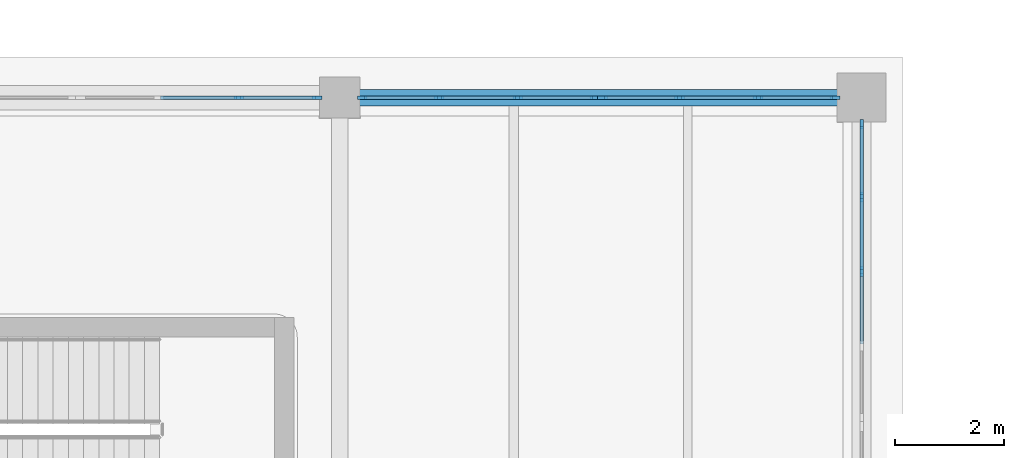
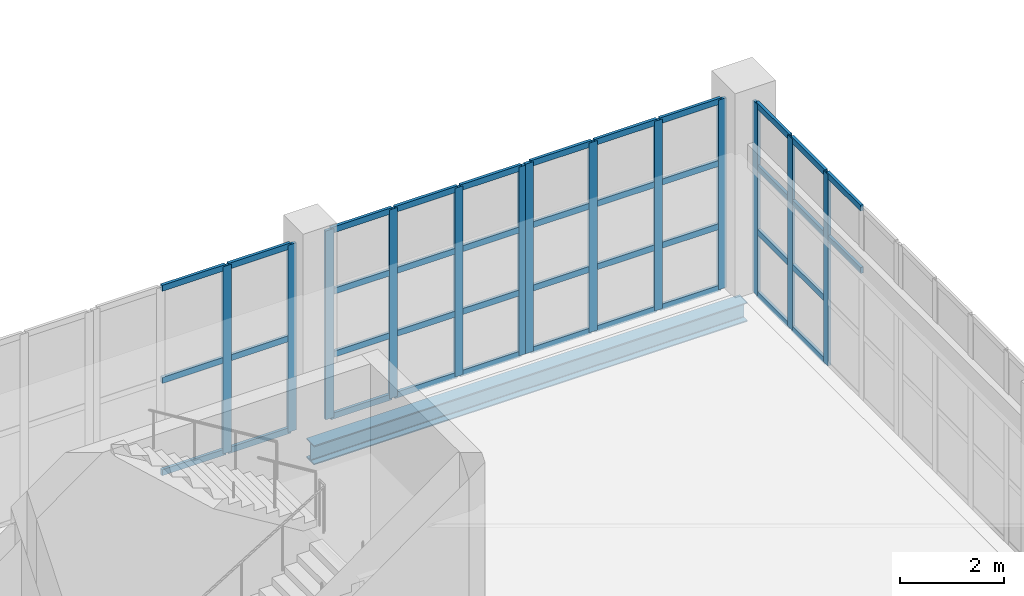
# One storey, part 37 of 121: 53 members, 1 beam, 4 elements without a shape of their own.
"""IFC4 building model written with IfcOpenShell, lengths in metres."""

from ifc_helpers import new_model, si_unit, direction, frame, origin, origin_2d, place, context, subcontext, project, spatial, rectangle, i_section, extrude, material, layer, layer_set, material_profile, profile_set, type_object, element, aggregate, save


model = new_model("IFC4")

# Units and contexts
model_context = context("Model", 3, precision=1e-05, world=origin(), true_north=direction((0.0, 1.0)))
body_context = subcontext(model_context, "Body", "Model", "MODEL_VIEW")
ifc_project = project(units=[si_unit("LENGTHUNIT", "METRE"), si_unit("AREAUNIT", "SQUARE_METRE"), si_unit("VOLUMEUNIT", "CUBIC_METRE"), si_unit("PLANEANGLEUNIT", "RADIAN"), si_unit("MASSUNIT", "GRAM", prefix="KILO")], contexts=[model_context])

# Site, building, storey
site_placement = place(None, origin())
site = spatial("IfcSite", under=ifc_project, at=site_placement, CompositionType="ELEMENT")
building_placement = place(site_placement, origin())
building = spatial("IfcBuilding", under=site, at=building_placement, Name="Zereglee Splitstone Museum", CompositionType="ELEMENT")
storey_placement = place(building_placement, origin())
storey = spatial("IfcBuildingStorey", under=building, at=storey_placement, Name="L00", CompositionType="ELEMENT", Elevation=0.0)

# Curtain wall, members
ifc_material_1 = material(Name="Triple-glazed low-E argon glass and bronze-anodised aluminium", Category="aluminium")
ifc_layer_1 = layer(ifc_material_1, 0.179931640625)
ifc_layer_set_1 = layer_set([ifc_layer_1], Name="Triple-glazed low-E argon glass and bronze-anodised aluminium")
curtain_wall_type_1 = type_object("IfcCurtainWallType", Name="CW-0548-448", PredefinedType="USERDEFINED", material=ifc_layer_set_1)
curtain_wall_1_placement = place(storey_placement, origin())
curtain_wall_1 = element("IfcCurtainWall", 1, at=curtain_wall_1_placement, inside=storey, type_object=curtain_wall_type_1, Name="Glazed Curtain Wall CW-0548-448 (L00)", ObjectType="GLAZED CURTAIN WALL", PredefinedType="USERDEFINED")
ifc_material_2 = material(Name="Thermally broken bronze-anodised aluminium", Category="aluminium")
ifc_material_profile_1 = material_profile(ifc_material_2, rectangle(XDim=0.06494140625, YDim=0.179931640625, at=origin_2d()), Name="CW MULL 65x180")
ifc_profile_set_1 = profile_set([ifc_material_profile_1], Name="Thermally broken bronze-anodised aluminium")
member_type_1 = type_object("IfcMemberType", Name="CWM-01", PredefinedType="MULLION", material=ifc_profile_set_1)
member_1_placement = place(storey_placement, frame((145.199951171875, 47.20361328125, 0.0), z_axis=(0.0, 0.0, 1.0), x_axis=(-1.0, 0.0, 0.0)))
member_1 = element("IfcMember", 2, at=member_1_placement, type_object=member_type_1, Name="CW-0548-448 mullion 3", PredefinedType="MULLION", context=body_context, shape_type="SweptSolid", body=[
    extrude(rectangle(XDim=0.06494140625, YDim=0.179931640625, at=origin_2d()), origin(), (0.0, 0.0, 1.0), 4.47998046875),
])
member_2_placement = place(storey_placement, frame((145.199951171875, 48.57275390625, 0.0), z_axis=(0.0, 0.0, 1.0), x_axis=(-1.0, 0.0, 0.0)))
member_2 = element("IfcMember", 3, at=member_2_placement, type_object=member_type_1, Name="CW-0548-448 mullion 4", PredefinedType="MULLION", context=body_context, shape_type="SweptSolid", body=[
    extrude(rectangle(XDim=0.06494140625, YDim=0.179931640625, at=origin_2d()), origin(), (0.0, 0.0, 1.0), 4.47998046875),
])
member_3_placement = place(storey_placement, frame((145.199951171875, 49.909423828125, 0.0), z_axis=(0.0, 0.0, 1.0), x_axis=(-1.0, 0.0, 0.0)))
member_3 = element("IfcMember", 4, at=member_3_placement, type_object=member_type_1, Name="CW-0548-448 mullion 5", PredefinedType="MULLION", context=body_context, shape_type="SweptSolid", body=[
    extrude(rectangle(XDim=0.06494140625, YDim=0.179931640625, at=origin_2d()), origin(), (0.0, 0.0, 1.0), 4.47998046875),
])

ifc_layer_2 = layer(ifc_material_1, 0.179931640625)
ifc_layer_set_2 = layer_set([ifc_layer_2], Name="Triple-glazed low-E argon glass and bronze-anodised aluminium")
curtain_wall_type_2 = type_object("IfcCurtainWallType", Name="CW-0434-444", PredefinedType="USERDEFINED", material=ifc_layer_set_2)
curtain_wall_2_placement = place(storey_placement, origin())
curtain_wall_2 = element("IfcCurtainWall", 5, at=curtain_wall_2_placement, inside=storey, type_object=curtain_wall_type_2, Name="Glazed Curtain Wall CW-0434-444 (L00)", ObjectType="GLAZED CURTAIN WALL", PredefinedType="USERDEFINED")
member_4_placement = place(storey_placement, frame((144.70947265625, 50.39990234375, 0.0), z_axis=(0.0, 0.0, 1.0), x_axis=(0.0, -1.0, 0.0)))
member_4 = element("IfcMember", 6, at=member_4_placement, type_object=member_type_1, Name="CW-0434-444 mullion 1", PredefinedType="MULLION", context=body_context, shape_type="SweptSolid", body=[
    extrude(rectangle(XDim=0.06494140625, YDim=0.179931640625, at=origin_2d()), origin(), (0.0, 0.0, 1.0), 4.43994140625),
])
member_5_placement = place(storey_placement, frame((143.29541015625, 50.39990234375, 0.0), z_axis=(0.0, 0.0, 1.0), x_axis=(0.0, -1.0, 0.0)))
member_5 = element("IfcMember", 7, at=member_5_placement, type_object=member_type_1, Name="CW-0434-444 mullion 2", PredefinedType="MULLION", context=body_context, shape_type="SweptSolid", body=[
    extrude(rectangle(XDim=0.06494140625, YDim=0.179931640625, at=origin_2d()), origin(), (0.0, 0.0, 1.0), 4.43994140625),
])
member_6_placement = place(storey_placement, frame((141.84912109375, 50.39990234375, 0.0), z_axis=(0.0, 0.0, 1.0), x_axis=(0.0, -1.0, 0.0)))
member_6 = element("IfcMember", 8, at=member_6_placement, type_object=member_type_1, Name="CW-0434-444 mullion 3", PredefinedType="MULLION", context=body_context, shape_type="SweptSolid", body=[
    extrude(rectangle(XDim=0.06494140625, YDim=0.179931640625, at=origin_2d()), origin(), (0.0, 0.0, 1.0), 4.43994140625),
])
member_7_placement = place(storey_placement, frame((140.43505859375, 50.39990234375, 0.0), z_axis=(0.0, 0.0, 1.0), x_axis=(0.0, -1.0, 0.0)))
member_7 = element("IfcMember", 9, at=member_7_placement, type_object=member_type_1, Name="CW-0434-444 mullion 4", PredefinedType="MULLION", context=body_context, shape_type="SweptSolid", body=[
    extrude(rectangle(XDim=0.06494140625, YDim=0.179931640625, at=origin_2d()), origin(), (0.0, 0.0, 1.0), 4.43994140625),
])

ifc_layer_3 = layer(ifc_material_1, 0.179931640625)
ifc_layer_set_3 = layer_set([ifc_layer_3], Name="Triple-glazed low-E argon glass and bronze-anodised aluminium")
curtain_wall_type_3 = type_object("IfcCurtainWallType", Name="CW-0434-442", PredefinedType="USERDEFINED", material=ifc_layer_set_3)
curtain_wall_3_placement = place(storey_placement, origin())
curtain_wall_3 = element("IfcCurtainWall", 10, at=curtain_wall_3_placement, inside=storey, type_object=curtain_wall_type_3, Name="Glazed Curtain Wall CW-0434-442 (L00)", ObjectType="GLAZED CURTAIN WALL", PredefinedType="USERDEFINED")
member_8_placement = place(storey_placement, frame((140.2900390625, 50.39990234375, 0.0), z_axis=(0.0, 0.0, 1.0), x_axis=(0.0, -1.0, 0.0)))
member_8 = element("IfcMember", 11, at=member_8_placement, type_object=member_type_1, Name="CW-0434-442 mullion 1", PredefinedType="MULLION", context=body_context, shape_type="SweptSolid", body=[
    extrude(rectangle(XDim=0.06494140625, YDim=0.179931640625, at=origin_2d()), origin(), (0.0, 0.0, 1.0), 4.419921875),
])
member_9_placement = place(storey_placement, frame((138.8759765625, 50.39990234375, 0.0), z_axis=(0.0, 0.0, 1.0), x_axis=(0.0, -1.0, 0.0)))
member_9 = element("IfcMember", 12, at=member_9_placement, type_object=member_type_1, Name="CW-0434-442 mullion 2", PredefinedType="MULLION", context=body_context, shape_type="SweptSolid", body=[
    extrude(rectangle(XDim=0.06494140625, YDim=0.179931640625, at=origin_2d()), origin(), (0.0, 0.0, 1.0), 4.419921875),
])
member_10_placement = place(storey_placement, frame((137.429443359375, 50.39990234375, 0.0), z_axis=(0.0, 0.0, 1.0), x_axis=(0.0, -1.0, 0.0)))
member_10 = element("IfcMember", 13, at=member_10_placement, type_object=member_type_1, Name="CW-0434-442 mullion 3", PredefinedType="MULLION", context=body_context, shape_type="SweptSolid", body=[
    extrude(rectangle(XDim=0.06494140625, YDim=0.179931640625, at=origin_2d()), origin(), (0.0, 0.0, 1.0), 4.419921875),
])
member_11_placement = place(storey_placement, frame((136.015380859375, 50.39990234375, 0.0), z_axis=(0.0, 0.0, 1.0), x_axis=(0.0, -1.0, 0.0)))
member_11 = element("IfcMember", 14, at=member_11_placement, type_object=member_type_1, Name="CW-0434-442 mullion 4", PredefinedType="MULLION", context=body_context, shape_type="SweptSolid", body=[
    extrude(rectangle(XDim=0.06494140625, YDim=0.179931640625, at=origin_2d()), origin(), (0.0, 0.0, 1.0), 4.419921875),
])

ifc_layer_4 = layer(ifc_material_1, 0.179931640625)
ifc_layer_set_4 = layer_set([ifc_layer_4], Name="Triple-glazed low-E argon glass and bronze-anodised aluminium")
curtain_wall_type_4 = type_object("IfcCurtainWallType", Name="CW-0441-438", PredefinedType="USERDEFINED", material=ifc_layer_set_4)
curtain_wall_4_placement = place(storey_placement, origin())
curtain_wall_4 = element("IfcCurtainWall", 15, at=curtain_wall_4_placement, inside=storey, type_object=curtain_wall_type_4, Name="Glazed Curtain Wall CW-0441-438 (L00)", ObjectType="GLAZED CURTAIN WALL", PredefinedType="USERDEFINED")
member_12_placement = place(storey_placement, frame((135.1845703125, 50.39990234375, 0.0), z_axis=(0.0, 0.0, 1.0), x_axis=(0.0, -1.0, 0.0)))
member_12 = element("IfcMember", 16, at=member_12_placement, type_object=member_type_1, Name="CW-0441-438 mullion 1", PredefinedType="MULLION", context=body_context, shape_type="SweptSolid", body=[
    extrude(rectangle(XDim=0.06494140625, YDim=0.179931640625, at=origin_2d()), origin(), (0.0, 0.0, 1.0), 4.3798828125),
])
member_13_placement = place(storey_placement, frame((133.74560546875, 50.39990234375, 0.0), z_axis=(0.0, 0.0, 1.0), x_axis=(0.0, -1.0, 0.0)))
member_13 = element("IfcMember", 17, at=member_13_placement, type_object=member_type_1, Name="CW-0441-438 mullion 2", PredefinedType="MULLION", context=body_context, shape_type="SweptSolid", body=[
    extrude(rectangle(XDim=0.06494140625, YDim=0.179931640625, at=origin_2d()), origin(), (0.0, 0.0, 1.0), 4.3798828125),
])

# Member
ifc_material_profile_2 = material_profile(ifc_material_2, rectangle(XDim=0.06494140625, YDim=0.139892578125, at=origin_2d()), Name="CW TRAN 65x140")
ifc_profile_set_2 = profile_set([ifc_material_profile_2], Name="Thermally broken bronze-anodised aluminium")
member_type_2 = type_object("IfcMemberType", Name="CWT-01", PredefinedType="USERDEFINED", material=ifc_profile_set_2)
member_14_placement = place(storey_placement, frame((145.199951171875, 45.86669921875, 2.98681640625), z_axis=(0.0, 1.0, 0.0), x_axis=(-1.0, 0.0, 0.0)))
member_14 = element("IfcMember", 18, at=member_14_placement, type_object=member_type_2, Name="CW-0548-448 transom 2.3", ObjectType="TRANSOM", PredefinedType="USERDEFINED", context=body_context, shape_type="SweptSolid", body=[
    extrude(rectangle(XDim=0.06494140625, YDim=0.139892578125, at=origin_2d()), origin(), (0.0, 0.0, 1.0), 1.30419921875),
])

member_15_placement = place(storey_placement, frame((145.199951171875, 45.86669921875, 4.447509765625), z_axis=(0.0, 1.0, 0.0), x_axis=(-1.0, 0.0, 0.0)))
member_15 = element("IfcMember", 19, at=member_15_placement, type_object=member_type_2, Name="CW-0548-448 transom 2.4", ObjectType="TRANSOM", PredefinedType="USERDEFINED", context=body_context, shape_type="SweptSolid", body=[
    extrude(rectangle(XDim=0.06494140625, YDim=0.139892578125, at=origin_2d()), origin(), (0.0, 0.0, 1.0), 1.30419921875),
])

member_16_placement = place(storey_placement, frame((145.199951171875, 47.236083984375, 0.032470703125), z_axis=(0.0, 1.0, 0.0), x_axis=(-1.0, 0.0, 0.0)))
member_16 = element("IfcMember", 20, at=member_16_placement, type_object=member_type_2, Name="CW-0548-448 transom 3.1", ObjectType="TRANSOM", PredefinedType="USERDEFINED", context=body_context, shape_type="SweptSolid", body=[
    extrude(rectangle(XDim=0.06494140625, YDim=0.139892578125, at=origin_2d()), origin(), (0.0, 0.0, 1.0), 1.30419921875),
])

member_17_placement = place(storey_placement, frame((145.199951171875, 47.236083984375, 1.493408203125), z_axis=(0.0, 1.0, 0.0), x_axis=(-1.0, 0.0, 0.0)))
member_17 = element("IfcMember", 21, at=member_17_placement, type_object=member_type_2, Name="CW-0548-448 transom 3.2", ObjectType="TRANSOM", PredefinedType="USERDEFINED", context=body_context, shape_type="SweptSolid", body=[
    extrude(rectangle(XDim=0.06494140625, YDim=0.139892578125, at=origin_2d()), origin(), (0.0, 0.0, 1.0), 1.30419921875),
])

member_18_placement = place(storey_placement, frame((145.199951171875, 47.236083984375, 2.98681640625), z_axis=(0.0, 1.0, 0.0), x_axis=(-1.0, 0.0, 0.0)))
member_18 = element("IfcMember", 22, at=member_18_placement, type_object=member_type_2, Name="CW-0548-448 transom 3.3", ObjectType="TRANSOM", PredefinedType="USERDEFINED", context=body_context, shape_type="SweptSolid", body=[
    extrude(rectangle(XDim=0.06494140625, YDim=0.139892578125, at=origin_2d()), origin(), (0.0, 0.0, 1.0), 1.30419921875),
])

member_19_placement = place(storey_placement, frame((145.199951171875, 47.236083984375, 4.447509765625), z_axis=(0.0, 1.0, 0.0), x_axis=(-1.0, 0.0, 0.0)))
member_19 = element("IfcMember", 23, at=member_19_placement, type_object=member_type_2, Name="CW-0548-448 transom 3.4", ObjectType="TRANSOM", PredefinedType="USERDEFINED", context=body_context, shape_type="SweptSolid", body=[
    extrude(rectangle(XDim=0.06494140625, YDim=0.139892578125, at=origin_2d()), origin(), (0.0, 0.0, 1.0), 1.30419921875),
])

member_20_placement = place(storey_placement, frame((145.199951171875, 48.605224609375, 0.032470703125), z_axis=(0.0, 1.0, 0.0), x_axis=(-1.0, 0.0, 0.0)))
member_20 = element("IfcMember", 24, at=member_20_placement, type_object=member_type_2, Name="CW-0548-448 transom 4.1", ObjectType="TRANSOM", PredefinedType="USERDEFINED", context=body_context, shape_type="SweptSolid", body=[
    extrude(rectangle(XDim=0.06494140625, YDim=0.139892578125, at=origin_2d()), origin(), (0.0, 0.0, 1.0), 1.271728515625),
])

member_21_placement = place(storey_placement, frame((145.199951171875, 48.605224609375, 1.493408203125), z_axis=(0.0, 1.0, 0.0), x_axis=(-1.0, 0.0, 0.0)))
member_21 = element("IfcMember", 25, at=member_21_placement, type_object=member_type_2, Name="CW-0548-448 transom 4.2", ObjectType="TRANSOM", PredefinedType="USERDEFINED", context=body_context, shape_type="SweptSolid", body=[
    extrude(rectangle(XDim=0.06494140625, YDim=0.139892578125, at=origin_2d()), origin(), (0.0, 0.0, 1.0), 1.271728515625),
])

member_22_placement = place(storey_placement, frame((145.199951171875, 48.605224609375, 2.98681640625), z_axis=(0.0, 1.0, 0.0), x_axis=(-1.0, 0.0, 0.0)))
member_22 = element("IfcMember", 26, at=member_22_placement, type_object=member_type_2, Name="CW-0548-448 transom 4.3", ObjectType="TRANSOM", PredefinedType="USERDEFINED", context=body_context, shape_type="SweptSolid", body=[
    extrude(rectangle(XDim=0.06494140625, YDim=0.139892578125, at=origin_2d()), origin(), (0.0, 0.0, 1.0), 1.271728515625),
])

member_23_placement = place(storey_placement, frame((145.199951171875, 48.605224609375, 4.447509765625), z_axis=(0.0, 1.0, 0.0), x_axis=(-1.0, 0.0, 0.0)))
member_23 = element("IfcMember", 27, at=member_23_placement, type_object=member_type_2, Name="CW-0548-448 transom 4.4", ObjectType="TRANSOM", PredefinedType="USERDEFINED", context=body_context, shape_type="SweptSolid", body=[
    extrude(rectangle(XDim=0.06494140625, YDim=0.139892578125, at=origin_2d()), origin(), (0.0, 0.0, 1.0), 1.271728515625),
])

aggregate(curtain_wall_1, [member_1, member_2, member_3, member_14, member_15, member_16, member_17, member_18, member_19, member_20, member_21, member_22, member_23])

member_24_placement = place(storey_placement, frame((144.677001953125, 50.39990234375, 0.032470703125), z_axis=(-1.0, 0.0, 0.0), x_axis=(0.0, -1.0, 0.0)))
member_24 = element("IfcMember", 28, at=member_24_placement, type_object=member_type_2, Name="CW-0434-444 transom 1.1", ObjectType="TRANSOM", PredefinedType="USERDEFINED", context=body_context, shape_type="SweptSolid", body=[
    extrude(rectangle(XDim=0.06494140625, YDim=0.139892578125, at=origin_2d()), origin(), (0.0, 0.0, 1.0), 1.34912109375),
])

member_25_placement = place(storey_placement, frame((144.677001953125, 50.39990234375, 1.47998046875), z_axis=(-1.0, 0.0, 0.0), x_axis=(0.0, -1.0, 0.0)))
member_25 = element("IfcMember", 29, at=member_25_placement, type_object=member_type_2, Name="CW-0434-444 transom 1.2", ObjectType="TRANSOM", PredefinedType="USERDEFINED", context=body_context, shape_type="SweptSolid", body=[
    extrude(rectangle(XDim=0.06494140625, YDim=0.139892578125, at=origin_2d()), origin(), (0.0, 0.0, 1.0), 1.34912109375),
])

member_26_placement = place(storey_placement, frame((144.677001953125, 50.39990234375, 2.9599609375), z_axis=(-1.0, 0.0, 0.0), x_axis=(0.0, -1.0, 0.0)))
member_26 = element("IfcMember", 30, at=member_26_placement, type_object=member_type_2, Name="CW-0434-444 transom 1.3", ObjectType="TRANSOM", PredefinedType="USERDEFINED", context=body_context, shape_type="SweptSolid", body=[
    extrude(rectangle(XDim=0.06494140625, YDim=0.139892578125, at=origin_2d()), origin(), (0.0, 0.0, 1.0), 1.34912109375),
])

member_27_placement = place(storey_placement, frame((144.677001953125, 50.39990234375, 4.407470703125), z_axis=(-1.0, 0.0, 0.0), x_axis=(0.0, -1.0, 0.0)))
member_27 = element("IfcMember", 31, at=member_27_placement, type_object=member_type_2, Name="CW-0434-444 transom 1.4", ObjectType="TRANSOM", PredefinedType="USERDEFINED", context=body_context, shape_type="SweptSolid", body=[
    extrude(rectangle(XDim=0.06494140625, YDim=0.139892578125, at=origin_2d()), origin(), (0.0, 0.0, 1.0), 1.34912109375),
])

member_28_placement = place(storey_placement, frame((143.262939453125, 50.39990234375, 0.032470703125), z_axis=(-1.0, 0.0, 0.0), x_axis=(0.0, -1.0, 0.0)))
member_28 = element("IfcMember", 32, at=member_28_placement, type_object=member_type_2, Name="CW-0434-444 transom 2.1", ObjectType="TRANSOM", PredefinedType="USERDEFINED", context=body_context, shape_type="SweptSolid", body=[
    extrude(rectangle(XDim=0.06494140625, YDim=0.139892578125, at=origin_2d()), origin(), (0.0, 0.0, 1.0), 1.38134765625),
])

member_29_placement = place(storey_placement, frame((143.262939453125, 50.39990234375, 1.47998046875), z_axis=(-1.0, 0.0, 0.0), x_axis=(0.0, -1.0, 0.0)))
member_29 = element("IfcMember", 33, at=member_29_placement, type_object=member_type_2, Name="CW-0434-444 transom 2.2", ObjectType="TRANSOM", PredefinedType="USERDEFINED", context=body_context, shape_type="SweptSolid", body=[
    extrude(rectangle(XDim=0.06494140625, YDim=0.139892578125, at=origin_2d()), origin(), (0.0, 0.0, 1.0), 1.38134765625),
])

member_30_placement = place(storey_placement, frame((143.262939453125, 50.39990234375, 2.9599609375), z_axis=(-1.0, 0.0, 0.0), x_axis=(0.0, -1.0, 0.0)))
member_30 = element("IfcMember", 34, at=member_30_placement, type_object=member_type_2, Name="CW-0434-444 transom 2.3", ObjectType="TRANSOM", PredefinedType="USERDEFINED", context=body_context, shape_type="SweptSolid", body=[
    extrude(rectangle(XDim=0.06494140625, YDim=0.139892578125, at=origin_2d()), origin(), (0.0, 0.0, 1.0), 1.38134765625),
])

member_31_placement = place(storey_placement, frame((143.262939453125, 50.39990234375, 4.407470703125), z_axis=(-1.0, 0.0, 0.0), x_axis=(0.0, -1.0, 0.0)))
member_31 = element("IfcMember", 35, at=member_31_placement, type_object=member_type_2, Name="CW-0434-444 transom 2.4", ObjectType="TRANSOM", PredefinedType="USERDEFINED", context=body_context, shape_type="SweptSolid", body=[
    extrude(rectangle(XDim=0.06494140625, YDim=0.139892578125, at=origin_2d()), origin(), (0.0, 0.0, 1.0), 1.38134765625),
])

member_32_placement = place(storey_placement, frame((141.81640625, 50.39990234375, 0.032470703125), z_axis=(-1.0, 0.0, 0.0), x_axis=(0.0, -1.0, 0.0)))
member_32 = element("IfcMember", 36, at=member_32_placement, type_object=member_type_2, Name="CW-0434-444 transom 3.1", ObjectType="TRANSOM", PredefinedType="USERDEFINED", context=body_context, shape_type="SweptSolid", body=[
    extrude(rectangle(XDim=0.06494140625, YDim=0.139892578125, at=origin_2d()), origin(), (0.0, 0.0, 1.0), 1.348876953125),
])

member_33_placement = place(storey_placement, frame((141.81640625, 50.39990234375, 1.47998046875), z_axis=(-1.0, 0.0, 0.0), x_axis=(0.0, -1.0, 0.0)))
member_33 = element("IfcMember", 37, at=member_33_placement, type_object=member_type_2, Name="CW-0434-444 transom 3.2", ObjectType="TRANSOM", PredefinedType="USERDEFINED", context=body_context, shape_type="SweptSolid", body=[
    extrude(rectangle(XDim=0.06494140625, YDim=0.139892578125, at=origin_2d()), origin(), (0.0, 0.0, 1.0), 1.348876953125),
])

member_34_placement = place(storey_placement, frame((141.81640625, 50.39990234375, 2.9599609375), z_axis=(-1.0, 0.0, 0.0), x_axis=(0.0, -1.0, 0.0)))
member_34 = element("IfcMember", 38, at=member_34_placement, type_object=member_type_2, Name="CW-0434-444 transom 3.3", ObjectType="TRANSOM", PredefinedType="USERDEFINED", context=body_context, shape_type="SweptSolid", body=[
    extrude(rectangle(XDim=0.06494140625, YDim=0.139892578125, at=origin_2d()), origin(), (0.0, 0.0, 1.0), 1.348876953125),
])

member_35_placement = place(storey_placement, frame((141.81640625, 50.39990234375, 4.407470703125), z_axis=(-1.0, 0.0, 0.0), x_axis=(0.0, -1.0, 0.0)))
member_35 = element("IfcMember", 39, at=member_35_placement, type_object=member_type_2, Name="CW-0434-444 transom 3.4", ObjectType="TRANSOM", PredefinedType="USERDEFINED", context=body_context, shape_type="SweptSolid", body=[
    extrude(rectangle(XDim=0.06494140625, YDim=0.139892578125, at=origin_2d()), origin(), (0.0, 0.0, 1.0), 1.348876953125),
])

aggregate(curtain_wall_2, [member_4, member_5, member_6, member_7, member_24, member_25, member_26, member_27, member_28, member_29, member_30, member_31, member_32, member_33, member_34, member_35])

member_36_placement = place(storey_placement, frame((140.257568359375, 50.39990234375, 0.032470703125), z_axis=(-1.0, 0.0, 0.0), x_axis=(0.0, -1.0, 0.0)))
member_36 = element("IfcMember", 40, at=member_36_placement, type_object=member_type_2, Name="CW-0434-442 transom 1.1", ObjectType="TRANSOM", PredefinedType="USERDEFINED", context=body_context, shape_type="SweptSolid", body=[
    extrude(rectangle(XDim=0.06494140625, YDim=0.139892578125, at=origin_2d()), origin(), (0.0, 0.0, 1.0), 1.34912109375),
])

member_37_placement = place(storey_placement, frame((140.257568359375, 50.39990234375, 1.473388671875), z_axis=(-1.0, 0.0, 0.0), x_axis=(0.0, -1.0, 0.0)))
member_37 = element("IfcMember", 41, at=member_37_placement, type_object=member_type_2, Name="CW-0434-442 transom 1.2", ObjectType="TRANSOM", PredefinedType="USERDEFINED", context=body_context, shape_type="SweptSolid", body=[
    extrude(rectangle(XDim=0.06494140625, YDim=0.139892578125, at=origin_2d()), origin(), (0.0, 0.0, 1.0), 1.34912109375),
])

member_38_placement = place(storey_placement, frame((140.257568359375, 50.39990234375, 2.94677734375), z_axis=(-1.0, 0.0, 0.0), x_axis=(0.0, -1.0, 0.0)))
member_38 = element("IfcMember", 42, at=member_38_placement, type_object=member_type_2, Name="CW-0434-442 transom 1.3", ObjectType="TRANSOM", PredefinedType="USERDEFINED", context=body_context, shape_type="SweptSolid", body=[
    extrude(rectangle(XDim=0.06494140625, YDim=0.139892578125, at=origin_2d()), origin(), (0.0, 0.0, 1.0), 1.34912109375),
])

member_39_placement = place(storey_placement, frame((140.257568359375, 50.39990234375, 4.387451171875), z_axis=(-1.0, 0.0, 0.0), x_axis=(0.0, -1.0, 0.0)))
member_39 = element("IfcMember", 43, at=member_39_placement, type_object=member_type_2, Name="CW-0434-442 transom 1.4", ObjectType="TRANSOM", PredefinedType="USERDEFINED", context=body_context, shape_type="SweptSolid", body=[
    extrude(rectangle(XDim=0.06494140625, YDim=0.139892578125, at=origin_2d()), origin(), (0.0, 0.0, 1.0), 1.34912109375),
])

member_40_placement = place(storey_placement, frame((138.843505859375, 50.39990234375, 0.032470703125), z_axis=(-1.0, 0.0, 0.0), x_axis=(0.0, -1.0, 0.0)))
member_40 = element("IfcMember", 44, at=member_40_placement, type_object=member_type_2, Name="CW-0434-442 transom 2.1", ObjectType="TRANSOM", PredefinedType="USERDEFINED", context=body_context, shape_type="SweptSolid", body=[
    extrude(rectangle(XDim=0.06494140625, YDim=0.139892578125, at=origin_2d()), origin(), (0.0, 0.0, 1.0), 1.381591796875),
])

member_41_placement = place(storey_placement, frame((138.843505859375, 50.39990234375, 1.473388671875), z_axis=(-1.0, 0.0, 0.0), x_axis=(0.0, -1.0, 0.0)))
member_41 = element("IfcMember", 45, at=member_41_placement, type_object=member_type_2, Name="CW-0434-442 transom 2.2", ObjectType="TRANSOM", PredefinedType="USERDEFINED", context=body_context, shape_type="SweptSolid", body=[
    extrude(rectangle(XDim=0.06494140625, YDim=0.139892578125, at=origin_2d()), origin(), (0.0, 0.0, 1.0), 1.381591796875),
])

member_42_placement = place(storey_placement, frame((138.843505859375, 50.39990234375, 2.94677734375), z_axis=(-1.0, 0.0, 0.0), x_axis=(0.0, -1.0, 0.0)))
member_42 = element("IfcMember", 46, at=member_42_placement, type_object=member_type_2, Name="CW-0434-442 transom 2.3", ObjectType="TRANSOM", PredefinedType="USERDEFINED", context=body_context, shape_type="SweptSolid", body=[
    extrude(rectangle(XDim=0.06494140625, YDim=0.139892578125, at=origin_2d()), origin(), (0.0, 0.0, 1.0), 1.381591796875),
])

member_43_placement = place(storey_placement, frame((138.843505859375, 50.39990234375, 4.387451171875), z_axis=(-1.0, 0.0, 0.0), x_axis=(0.0, -1.0, 0.0)))
member_43 = element("IfcMember", 47, at=member_43_placement, type_object=member_type_2, Name="CW-0434-442 transom 2.4", ObjectType="TRANSOM", PredefinedType="USERDEFINED", context=body_context, shape_type="SweptSolid", body=[
    extrude(rectangle(XDim=0.06494140625, YDim=0.139892578125, at=origin_2d()), origin(), (0.0, 0.0, 1.0), 1.381591796875),
])

member_44_placement = place(storey_placement, frame((137.39697265625, 50.39990234375, 0.032470703125), z_axis=(-1.0, 0.0, 0.0), x_axis=(0.0, -1.0, 0.0)))
member_44 = element("IfcMember", 48, at=member_44_placement, type_object=member_type_2, Name="CW-0434-442 transom 3.1", ObjectType="TRANSOM", PredefinedType="USERDEFINED", context=body_context, shape_type="SweptSolid", body=[
    extrude(rectangle(XDim=0.06494140625, YDim=0.139892578125, at=origin_2d()), origin(), (0.0, 0.0, 1.0), 1.348876953125),
])

member_45_placement = place(storey_placement, frame((137.39697265625, 50.39990234375, 1.473388671875), z_axis=(-1.0, 0.0, 0.0), x_axis=(0.0, -1.0, 0.0)))
member_45 = element("IfcMember", 49, at=member_45_placement, type_object=member_type_2, Name="CW-0434-442 transom 3.2", ObjectType="TRANSOM", PredefinedType="USERDEFINED", context=body_context, shape_type="SweptSolid", body=[
    extrude(rectangle(XDim=0.06494140625, YDim=0.139892578125, at=origin_2d()), origin(), (0.0, 0.0, 1.0), 1.348876953125),
])

member_46_placement = place(storey_placement, frame((137.39697265625, 50.39990234375, 2.94677734375), z_axis=(-1.0, 0.0, 0.0), x_axis=(0.0, -1.0, 0.0)))
member_46 = element("IfcMember", 50, at=member_46_placement, type_object=member_type_2, Name="CW-0434-442 transom 3.3", ObjectType="TRANSOM", PredefinedType="USERDEFINED", context=body_context, shape_type="SweptSolid", body=[
    extrude(rectangle(XDim=0.06494140625, YDim=0.139892578125, at=origin_2d()), origin(), (0.0, 0.0, 1.0), 1.348876953125),
])

member_47_placement = place(storey_placement, frame((137.39697265625, 50.39990234375, 4.387451171875), z_axis=(-1.0, 0.0, 0.0), x_axis=(0.0, -1.0, 0.0)))
member_47 = element("IfcMember", 51, at=member_47_placement, type_object=member_type_2, Name="CW-0434-442 transom 3.4", ObjectType="TRANSOM", PredefinedType="USERDEFINED", context=body_context, shape_type="SweptSolid", body=[
    extrude(rectangle(XDim=0.06494140625, YDim=0.139892578125, at=origin_2d()), origin(), (0.0, 0.0, 1.0), 1.348876953125),
])

aggregate(curtain_wall_3, [member_8, member_9, member_10, member_11, member_36, member_37, member_38, member_39, member_40, member_41, member_42, member_43, member_44, member_45, member_46, member_47])

member_48_placement = place(storey_placement, frame((135.152099609375, 50.39990234375, 0.032470703125), z_axis=(-1.0, 0.0, 0.0), x_axis=(0.0, -1.0, 0.0)))
member_48 = element("IfcMember", 52, at=member_48_placement, type_object=member_type_2, Name="CW-0441-438 transom 1.1", ObjectType="TRANSOM", PredefinedType="USERDEFINED", context=body_context, shape_type="SweptSolid", body=[
    extrude(rectangle(XDim=0.06494140625, YDim=0.139892578125, at=origin_2d()), origin(), (0.0, 0.0, 1.0), 1.3740234375),
])

member_49_placement = place(storey_placement, frame((135.152099609375, 50.39990234375, 2.18994140625), z_axis=(-1.0, 0.0, 0.0), x_axis=(0.0, -1.0, 0.0)))
member_49 = element("IfcMember", 53, at=member_49_placement, type_object=member_type_2, Name="CW-0441-438 transom 1.2", ObjectType="TRANSOM", PredefinedType="USERDEFINED", context=body_context, shape_type="SweptSolid", body=[
    extrude(rectangle(XDim=0.06494140625, YDim=0.139892578125, at=origin_2d()), origin(), (0.0, 0.0, 1.0), 1.3740234375),
])

member_50_placement = place(storey_placement, frame((135.152099609375, 50.39990234375, 4.347412109375), z_axis=(-1.0, 0.0, 0.0), x_axis=(0.0, -1.0, 0.0)))
member_50 = element("IfcMember", 54, at=member_50_placement, type_object=member_type_2, Name="CW-0441-438 transom 1.3", ObjectType="TRANSOM", PredefinedType="USERDEFINED", context=body_context, shape_type="SweptSolid", body=[
    extrude(rectangle(XDim=0.06494140625, YDim=0.139892578125, at=origin_2d()), origin(), (0.0, 0.0, 1.0), 1.3740234375),
])

member_51_placement = place(storey_placement, frame((133.712890625, 50.39990234375, 0.032470703125), z_axis=(-1.0, 0.0, 0.0), x_axis=(0.0, -1.0, 0.0)))
member_51 = element("IfcMember", 55, at=member_51_placement, type_object=member_type_2, Name="CW-0441-438 transom 2.1", ObjectType="TRANSOM", PredefinedType="USERDEFINED", context=body_context, shape_type="SweptSolid", body=[
    extrude(rectangle(XDim=0.06494140625, YDim=0.139892578125, at=origin_2d()), origin(), (0.0, 0.0, 1.0), 1.406494140625),
])

member_52_placement = place(storey_placement, frame((133.712890625, 50.39990234375, 2.18994140625), z_axis=(-1.0, 0.0, 0.0), x_axis=(0.0, -1.0, 0.0)))
member_52 = element("IfcMember", 56, at=member_52_placement, type_object=member_type_2, Name="CW-0441-438 transom 2.2", ObjectType="TRANSOM", PredefinedType="USERDEFINED", context=body_context, shape_type="SweptSolid", body=[
    extrude(rectangle(XDim=0.06494140625, YDim=0.139892578125, at=origin_2d()), origin(), (0.0, 0.0, 1.0), 1.406494140625),
])

member_53_placement = place(storey_placement, frame((133.712890625, 50.39990234375, 4.347412109375), z_axis=(-1.0, 0.0, 0.0), x_axis=(0.0, -1.0, 0.0)))
member_53 = element("IfcMember", 57, at=member_53_placement, type_object=member_type_2, Name="CW-0441-438 transom 2.3", ObjectType="TRANSOM", PredefinedType="USERDEFINED", context=body_context, shape_type="SweptSolid", body=[
    extrude(rectangle(XDim=0.06494140625, YDim=0.139892578125, at=origin_2d()), origin(), (0.0, 0.0, 1.0), 1.406494140625),
])

aggregate(curtain_wall_4, [member_12, member_13, member_48, member_49, member_50, member_51, member_52, member_53])

# Beam
ifc_material_3 = material(Name="Steel S355J2", Category="steel")
ifc_material_profile_3 = material_profile(ifc_material_3, i_section(OverallWidth=0.300048828125, OverallDepth=0.449951171875, WebThickness=0.013916015625, FlangeThickness=0.02587890625, FilletRadius=0.027099609375, at=origin_2d()), Name="HE 450 B")
ifc_profile_set_3 = profile_set([ifc_material_profile_3], Name="Steel S355J2")
beam_type = type_object("IfcBeamType", Name="SP-02", PredefinedType="SPANDREL", material=ifc_profile_set_3)
beam_placement = place(storey_placement, frame((135.60009765625, 50.39990234375, -0.64501953125), z_axis=(1.0, 0.0, 0.0), x_axis=(0.0, 1.0, 0.0)))
element("IfcBeam", 58, at=beam_placement, inside=storey, type_object=beam_type, Name="Primary Girder L00 F (135.6-145.2)", PredefinedType="SPANDREL", context=body_context, shape_type="SweptSolid", body=[
    extrude(i_section(OverallWidth=0.300048828125, OverallDepth=0.449951171875, WebThickness=0.013916015625, FlangeThickness=0.02587890625, FilletRadius=0.027099609375, at=origin_2d()), origin(), (0.0, 0.0, 1.0), 9.599853515625),
])

save(model, "model.ifc")
